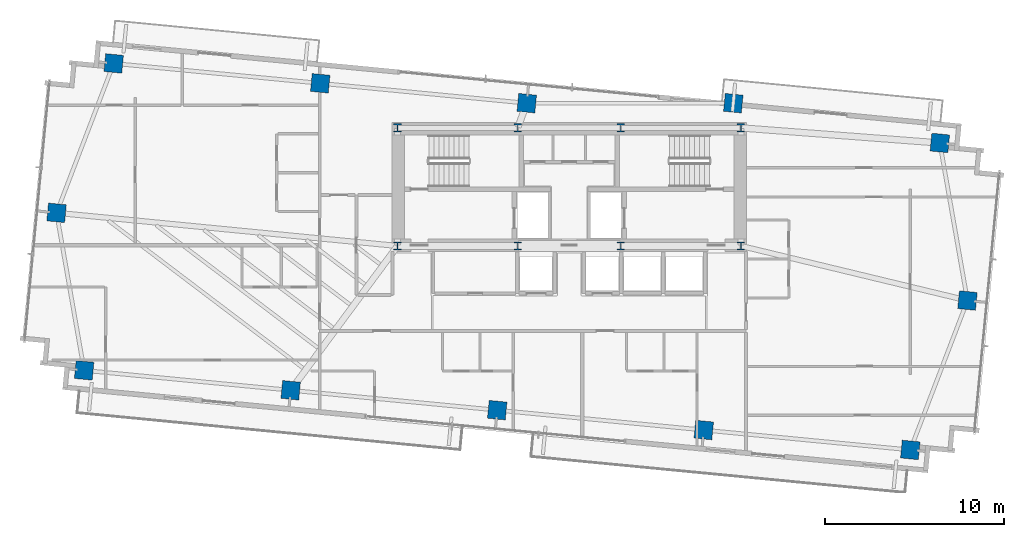
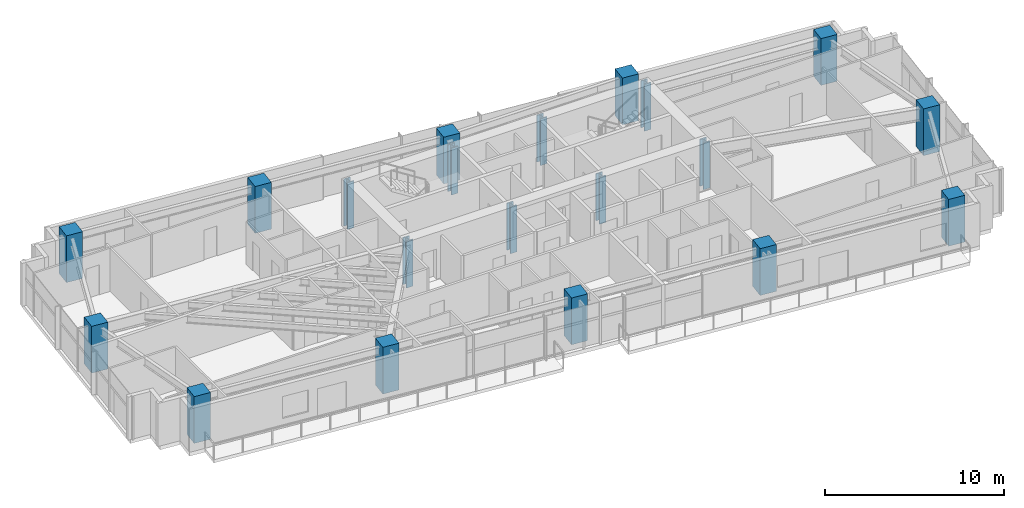
# One storey, part 1 of 20: 20 columns.
"""IFC4 building model written with IfcOpenShell, lengths in metres."""

from ifc_helpers import new_model, si_unit, direction, frame, origin, origin_2d, place, context, subcontext, project, spatial, rectangle, i_section, extrude, source, transform, mapped, material, material_profile, profile_set, type_object, type_shapes, element, save


model = new_model("IFC4")

# Units and contexts
model_context = context("Model", 3, precision=1e-05, world=origin(), true_north=direction((0.0, 1.0)))
body_context = subcontext(model_context, "Body", "Model", "MODEL_VIEW")
ifc_project = project(units=[si_unit("LENGTHUNIT", "METRE"), si_unit("AREAUNIT", "SQUARE_METRE"), si_unit("VOLUMEUNIT", "CUBIC_METRE"), si_unit("PLANEANGLEUNIT", "RADIAN"), si_unit("MASSUNIT", "GRAM", prefix="KILO")], contexts=[model_context])

# Site, building, storey
site_placement = place(None, origin())
site = spatial("IfcSite", under=ifc_project, at=site_placement, CompositionType="ELEMENT")
building_placement = place(site_placement, origin())
building = spatial("IfcBuilding", under=site, at=building_placement, Name="Astriad Promenade Condominiums", CompositionType="ELEMENT")
storey_placement = place(building_placement, frame((0.0, 0.0, 137.39990234375)))
storey = spatial("IfcBuildingStorey", under=building, at=storey_placement, Name="L39", CompositionType="ELEMENT", Elevation=137.39990234375)

# Columns
ifc_material_1 = material(Name="Steel ASTM A992 Grade 50", Category="steel")
ifc_material_profile_1 = material_profile(ifc_material_1, i_section(OverallWidth=0.42138671875, OverallDepth=0.464599609375, WebThickness=0.044921875, FlangeThickness=0.072509765625, FilletRadius=0.017822265625, at=origin_2d()), Name="W14X398")
ifc_profile_set_1 = profile_set([ifc_material_profile_1], Name="Steel ASTM A992 Grade 50")
column_type_1 = type_object("IfcColumnType", Name="STEEL CORE PILASTER W14X398", PredefinedType="PILASTER", material=ifc_profile_set_1)
shared_shape_1 = source(origin(), body_context, "Body", "SweptSolid", [
    extrude(i_section(OverallWidth=0.42138671875, OverallDepth=0.464599609375, WebThickness=0.044921875, FlangeThickness=0.072509765625, FilletRadius=0.017822265625, at=origin_2d()), origin(), (0.0, 0.0, 1.0), 3.19580078125),
])
type_shapes(column_type_1, [shared_shape_1])
for number, where, z_axis, x_axis, name in (
    (1, (26.39990234375, 17.39990234375, 0.002197265625), (0.0, 0.0, 1.0), (1.0, 0.0, 0.0), "Core Pilaster Column CP1 (L39)"),
    (2, (33.1201171875, 17.39990234375, 0.002197265625), (0.0, 0.0, 1.0), (1.0, 0.0, 0.0), "Core Pilaster Column CP2 (L39)"),
    (3, (38.8798828125, 17.39990234375, 0.002197265625), (0.0, 0.0, 1.0), (1.0, 0.0, 0.0), "Core Pilaster Column CP3 (L39)"),
    (4, (45.60009765625, 17.39990234375, 0.002197265625), (0.0, 0.0, 1.0), (1.0, 0.0, 0.0), "Core Pilaster Column CP4 (L39)"),
    (5, (26.39990234375, 24.0, 0.002197265625), (0.0, 0.0, 1.0), (1.0, 0.0, 0.0), "Core Pilaster Column CP5 (L39)"),
    (6, (33.1201171875, 24.0, 0.002197265625), (0.0, 0.0, 1.0), (1.0, 0.0, 0.0), "Core Pilaster Column CP6 (L39)"),
    (7, (38.8798828125, 24.0, 0.002197265625), (0.0, 0.0, 1.0), (1.0, 0.0, 0.0), "Core Pilaster Column CP7 (L39)"),
    (8, (45.60009765625, 24.0, 0.002197265625), (0.0, 0.0, 1.0), (1.0, 0.0, 0.0), "Core Pilaster Column CP8 (L39)"),
):
    element("IfcColumn", number, at=place(storey_placement, frame(where, z_axis=z_axis, x_axis=x_axis)), inside=storey, type_object=column_type_1, Name=name, PredefinedType="PILASTER", context=body_context, shape_type="MappedRepresentation", body=[
        mapped(shared_shape_1, transform((0.0, 0.0, 0.0), scale=1.0)),
    ])
ifc_material_2 = material(Name="Concrete C60/75", Category="concrete")
ifc_material_profile_2 = material_profile(ifc_material_2, rectangle(XDim=1.0, YDim=1.0, at=origin_2d()), Name="RC-COL-1000X1000")
ifc_profile_set_2 = profile_set([ifc_material_profile_2], Name="Concrete C60/75")
column_type_2 = type_object("IfcColumnType", Name="CONCRETE TOWER COLUMN 1000X1000", PredefinedType="COLUMN", material=ifc_profile_set_2)
shared_shape_2 = source(origin(), body_context, "Body", "SweptSolid", [
    extrude(rectangle(XDim=1.0, YDim=1.0, at=origin_2d()), origin(), (0.0, 0.0, 1.0), 3.19580078125),
])
type_shapes(column_type_2, [shared_shape_2])
for number, where, z_axis, x_axis, name in (
    (9, (8.880615234375, 10.443359375, 0.002197265625), (0.0, 0.0, 1.0), (0.995396198367, -0.09584575252, 0.0), "Perimeter Column PC01 (L39)"),
    (10, (20.42724609375, 9.33154296875, 0.002197265625), (0.0, 0.0, 1.0), (0.995396198367, -0.09584575252, 0.0), "Perimeter Column PC02 (L39)"),
    (11, (31.973876953125, 8.2197265625, 0.002197265625), (0.0, 0.0, 1.0), (0.995396198367, -0.09584575252, 0.0), "Perimeter Column PC03 (L39)"),
    (12, (43.5205078125, 7.10791015625, 0.002197265625), (0.0, 0.0, 1.0), (0.995396198367, -0.09584575252, 0.0), "Perimeter Column PC04 (L39)"),
    (13, (55.06689453125, 5.99609375, 0.002197265625), (0.0, 0.0, 1.0), (0.995396198367, -0.09584575252, 0.0), "Perimeter Column PC05 (L39)"),
    (14, (10.532958984375, 27.60400390625, 0.002197265625), (0.0, 0.0, 1.0), (0.995396198367, -0.09584575252, 0.0), "Perimeter Column PC06 (L39)"),
    (15, (22.07958984375, 26.4921875, 0.002197265625), (0.0, 0.0, 1.0), (0.995396198367, -0.09584575252, 0.0), "Perimeter Column PC07 (L39)"),
    (16, (33.626220703125, 25.38037109375, 0.002197265625), (0.0, 0.0, 1.0), (0.995396198367, -0.09584575252, 0.0), "Perimeter Column PC08 (L39)"),
    (17, (45.1728515625, 25.3798828125, 0.002197265625), (0.0, 0.0, 1.0), (0.995396198367, -0.09584575252, 0.0), "Perimeter Column PC09 (L39)"),
    (18, (56.719482421875, 23.15673828125, 0.002197265625), (0.0, 0.0, 1.0), (0.995396198367, -0.09584575252, 0.0), "Perimeter Column PC10 (L39)"),
    (19, (7.337890625, 19.251708984375, 0.002197265625), (0.0, 0.0, 1.0), (0.995396198367, -0.09584575252, 0.0), "Perimeter Column PC11 (L39)"),
    (20, (58.26220703125, 14.348388671875, 0.002197265625), (0.0, 0.0, 1.0), (0.995396198367, -0.09584575252, 0.0), "Perimeter Column PC12 (L39)"),
):
    element("IfcColumn", number, at=place(storey_placement, frame(where, z_axis=z_axis, x_axis=x_axis)), inside=storey, type_object=column_type_2, Name=name, PredefinedType="COLUMN", context=body_context, shape_type="MappedRepresentation", body=[
        mapped(shared_shape_2, transform((0.0, 0.0, 0.0), scale=1.0)),
    ])

save(model, "model.ifc")
